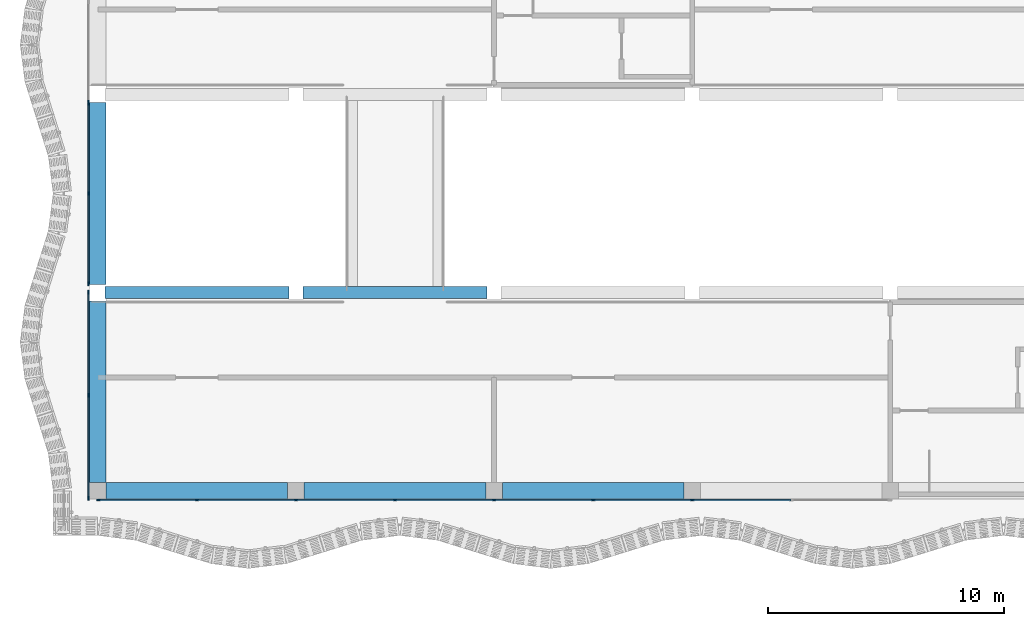
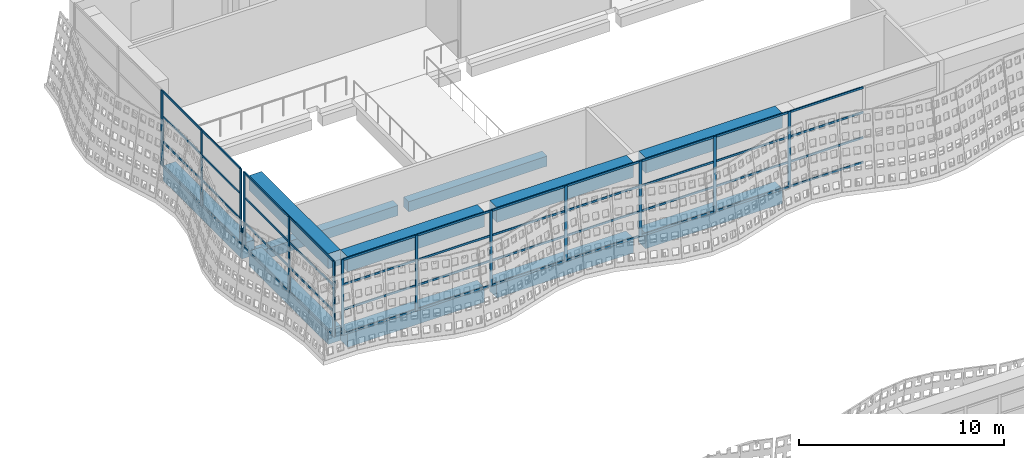
# One storey, part 26 of 162: 58 members, 11 beams, 4 elements without a shape of their own.
"""IFC4 building model written with IfcOpenShell, lengths in metres."""

import ifcopenshell
import ifcopenshell.guid

model = None  # the IFC model being written
_history = None  # IfcOwnerHistory: only IFC2X3 demands one
_inside = {}  # id of a spatial element -> (the spatial element, [elements in it])
_under = {}  # id of a project, library or spatial element -> (it, [spatial elements below it])
_declared = {}  # id of a project -> (the project, [libraries it declares])
_typed = {}  # id of a type object -> (the type object, [elements of that type])
_made_of = {}  # id of a material, layer set ... -> (it, [elements and type objects made of it])


def new_model(schema):
    """Start an empty IFC model of exactly this schema.

    Asked for "IFC4X3", IfcOpenShell would pick the latest addendum, in which some entities
    have other attributes; the version numbers below select the first issue.
    IFC2X3 requires an IfcOwnerHistory on every rooted entity: one is made here for all.
    """
    global model, _history
    if schema == "IFC4X3":
        model = ifcopenshell.file(schema_version=(4, 3, 0, 0))
    else:
        model = ifcopenshell.file(schema=schema)
    _inside.clear()
    _under.clear()
    _declared.clear()
    _typed.clear()
    _made_of.clear()
    _history = None
    if model.schema == "IFC2X3":
        org = make("IfcOrganization", Name="unknown")
        user = make(
            "IfcPersonAndOrganization",
            ThePerson=make("IfcPerson", FamilyName="unknown"),
            TheOrganization=org,
        )
        app = make(
            "IfcApplication",
            ApplicationDeveloper=org,
            Version="unknown",
            ApplicationFullName="unknown",
            ApplicationIdentifier="unknown",
        )
        _history = make(
            "IfcOwnerHistory",
            OwningUser=user,
            OwningApplication=app,
            ChangeAction="ADDED",
            CreationDate=0,
        )
    return model


def make(cls, **values):
    """One entity of the class cls with the attributes given. An attribute that is None is left unset."""
    return model.create_entity(
        cls, **{name: value for name, value in values.items() if value is not None}
    )


def rooted(cls, **values):
    """An entity with a GlobalId (a new one), such as an element, a storey or a relation."""
    return make(cls, GlobalId=ifcopenshell.guid.new(), OwnerHistory=_history, **values)


def si_unit(unit_type, name, prefix=None):
    """IfcSIUnit, for example si_unit("LENGTHUNIT", "METRE", prefix="MILLI")."""
    return make("IfcSIUnit", UnitType=unit_type, Prefix=prefix, Name=name)


def assignment(units):
    """IfcUnitAssignment: the units of a project."""
    return None if units is None else make("IfcUnitAssignment", Units=units)


def point(xyz):
    """IfcCartesianPoint."""
    return None if xyz is None else make("IfcCartesianPoint", Coordinates=xyz)


def direction(xyz):
    """IfcDirection."""
    return None if xyz is None else make("IfcDirection", DirectionRatios=xyz)


def frame(location, z_axis=None, x_axis=None):
    """IfcAxis2Placement3D, a coordinate frame: its origin and axes. An axis left out is left unset."""
    return make(
        "IfcAxis2Placement3D",
        Location=point(location),
        Axis=direction(z_axis),
        RefDirection=direction(x_axis),
    )


def frame_2d(location, x_axis=None):
    """IfcAxis2Placement2D, a coordinate frame in the plane: its origin and x axis."""
    return make(
        "IfcAxis2Placement2D", Location=point(location), RefDirection=direction(x_axis)
    )


def origin():
    """The frame at (0, 0, 0) with its axes left unset."""
    return frame((0.0, 0.0, 0.0))


def origin_2d():
    """The frame at (0, 0) in the plane with its x axis left unset."""
    return frame_2d((0.0, 0.0))


def place(relative_to, where):
    """IfcLocalPlacement: puts the frame where relative to a parent placement (None: the world)."""
    return make(
        "IfcLocalPlacement", PlacementRelTo=relative_to, RelativePlacement=where
    )


def context(
    kind, dimensions, precision=None, world=None, true_north=None, identifier=None
):
    """IfcGeometricRepresentationContext, for example the 3D "Model" context."""
    return make(
        "IfcGeometricRepresentationContext",
        ContextIdentifier=identifier,
        ContextType=kind,
        CoordinateSpaceDimension=dimensions,
        Precision=precision,
        WorldCoordinateSystem=world,
        TrueNorth=true_north,
    )


def subcontext(parent, identifier, kind, view, scale=None):
    """IfcGeometricRepresentationSubContext, for example "Body" below "Model"."""
    return make(
        "IfcGeometricRepresentationSubContext",
        ContextIdentifier=identifier,
        ContextType=kind,
        ParentContext=parent,
        TargetScale=scale,
        TargetView=view,
    )


def project(units=None, contexts=None):
    """IfcProject with its units and contexts."""
    return rooted(
        "IfcProject",
        Name="project",
        RepresentationContexts=contexts,
        UnitsInContext=assignment(units),
    )


def spatial(cls, under=None, at=None, **own):
    """A site, building, storey or space (cls), placed at a placement, below another one or the project."""
    s = rooted(cls, ObjectPlacement=at, **own)
    if under is not None:
        _under.setdefault(under.id(), (under, []))[1].append(s)
    return s


def profile(cls, at=None, kind="AREA", **sizes):
    """A parametric profile (cls). Its sizes go by their IFC names, for example OverallWidth=200.0."""
    return make(cls, ProfileType=kind, Position=at, **sizes)


def rectangle(**sizes):
    """IfcRectangleProfileDef."""
    return profile("IfcRectangleProfileDef", **sizes)


def extrude(swept, where, along, depth):
    """IfcExtrudedAreaSolid: the profile swept, set in the frame where, extruded along a direction by depth."""
    return make(
        "IfcExtrudedAreaSolid",
        SweptArea=swept,
        Position=where,
        ExtrudedDirection=direction(along),
        Depth=depth,
    )


def shape(context_of_items, identifier, shape_type, items):
    """IfcShapeRepresentation: the items that make up one representation, for example the "Body"."""
    return make(
        "IfcShapeRepresentation",
        ContextOfItems=context_of_items,
        RepresentationIdentifier=identifier,
        RepresentationType=shape_type,
        Items=items,
    )


def material(Name=None, Category=None):
    """IfcMaterial."""
    return make("IfcMaterial", Name=Name, Category=Category)


def layer(
    of_material, thickness, ventilated=None, Name=None, Category=None, Priority=None
):
    """IfcMaterialLayer: one layer of a wall or slab, of a material (None: an air gap)."""
    return make(
        "IfcMaterialLayer",
        Material=of_material,
        LayerThickness=thickness,
        IsVentilated=ventilated,
        Name=Name,
        Category=Category,
        Priority=Priority,
    )


def layer_set(layers, Name=None):
    """IfcMaterialLayerSet."""
    return make("IfcMaterialLayerSet", MaterialLayers=layers, LayerSetName=Name)


def material_profile(
    of_material, cross_section, Name=None, Category=None, Priority=None
):
    """IfcMaterialProfile: a cross section and its material."""
    return make(
        "IfcMaterialProfile",
        Name=Name,
        Material=of_material,
        Profile=cross_section,
        Priority=Priority,
        Category=Category,
    )


def profile_set(profiles, Name=None, composite=None):
    """IfcMaterialProfileSet."""
    return make(
        "IfcMaterialProfileSet",
        Name=Name,
        MaterialProfiles=profiles,
        CompositeProfile=composite,
    )


def made_of(thing, what):
    """Note that an element or type object is made of a material, layer set ...; save() writes the relation."""
    if what is not None:
        _made_of.setdefault(what.id(), (what, []))[1].append(thing)
    return thing


def type_object(cls, material=None, **own):
    """A type object (cls), such as IfcWallType, which elements share."""
    return made_of(rooted(cls, **own), material)


def element(
    cls,
    number,
    at=None,
    inside=None,
    cuts=None,
    type_object=None,
    material=None,
    context=None,
    identifier="Body",
    shape_type=None,
    held_by="IfcProductDefinitionShape",
    body=None,
    shapes=None,
    **own,
):
    """One element of the class cls, such as IfcWall. Its Tag is "e" and its number.

    at: its placement. inside: the storey or other place that contains it. cuts: it is an
    opening in that element (IfcRelVoidsElement). A single representation is given by context,
    identifier, shape_type and body (its items); several are given by shapes. held_by: the class
    of the entity that holds the representations. save() writes the other relations.
    """
    e = rooted(cls, Tag="e%d" % number, ObjectPlacement=at, **own)
    if body is not None:
        shapes = [shape(context, identifier, shape_type, body)]
    if shapes is not None:
        e.Representation = make(held_by, Representations=shapes)
    if inside is not None:
        _inside.setdefault(inside.id(), (inside, []))[1].append(e)
    if cuts is not None:
        rooted(
            "IfcRelVoidsElement", RelatingBuildingElement=cuts, RelatedOpeningElement=e
        )
    if type_object is not None:
        _typed.setdefault(type_object.id(), (type_object, []))[1].append(e)
    return made_of(e, material)


def aggregate(whole, parts):
    """IfcRelAggregates: a whole, such as a stair, and the parts it consists of."""
    return rooted("IfcRelAggregates", RelatingObject=whole, RelatedObjects=parts)


def save(model, path):
    """Write the relations noted so far, then the file.

    IfcRelAggregates (storeys below a building ...), IfcRelContainedInSpatialStructure (elements
    in a storey), IfcRelDefinesByType, IfcRelAssociatesMaterial and IfcRelDeclares: one each for
    every whole, place, type object, material and project.
    """
    for whole, parts in _under.values():
        aggregate(whole, parts)
    for where, things in _inside.values():
        rooted(
            "IfcRelContainedInSpatialStructure",
            RelatedElements=things,
            RelatingStructure=where,
        )
    for kind, things in _typed.values():
        rooted("IfcRelDefinesByType", RelatedObjects=things, RelatingType=kind)
    for what, things in _made_of.values():
        rooted("IfcRelAssociatesMaterial", RelatedObjects=things, RelatingMaterial=what)
    for by, libraries in _declared.values():
        rooted("IfcRelDeclares", RelatingContext=by, RelatedDefinitions=libraries)
    model.write(path)


model = new_model("IFC4")

# Units and contexts
model_context = context("Model", 3, precision=1e-05, world=origin(), true_north=direction((0.0, 1.0)))
body_context = subcontext(model_context, "Body", "Model", "MODEL_VIEW")
ifc_project = project(units=[si_unit("LENGTHUNIT", "METRE"), si_unit("AREAUNIT", "SQUARE_METRE"), si_unit("VOLUMEUNIT", "CUBIC_METRE"), si_unit("PLANEANGLEUNIT", "RADIAN"), si_unit("MASSUNIT", "GRAM", prefix="KILO")], contexts=[model_context])

# Site, building, storey
site_placement = place(None, origin())
site = spatial("IfcSite", under=ifc_project, at=site_placement, CompositionType="ELEMENT")
building_placement = place(site_placement, origin())
building = spatial("IfcBuilding", under=site, at=building_placement, Name="Rain Tree Exposition and Congress Centre", CompositionType="ELEMENT")
storey_placement = place(building_placement, frame((0.0, 0.0, 6.0)))
storey = spatial("IfcBuildingStorey", under=building, at=storey_placement, Name="L01", CompositionType="ELEMENT", Elevation=6.0)

# Curtain wall, members
ifc_material_1 = material(Name="Aluminium curtain wall system", Category="aluminium")
ifc_layer = layer(ifc_material_1, 0.10009765625)
ifc_layer_set = layer_set([ifc_layer], Name="Aluminium curtain wall system")
curtain_wall_type = type_object("IfcCurtainWallType", Name="Concourse curtain wall 4200 module", PredefinedType="NOTDEFINED", material=ifc_layer_set)
curtain_wall_1_placement = place(storey_placement, origin())
curtain_wall_1 = element("IfcCurtainWall", 1, at=curtain_wall_1_placement, inside=storey, type_object=curtain_wall_type, Name="Concourse curtain wall CWC22", PredefinedType="NOTDEFINED")
ifc_material_2 = material(Name="Aluminium mullion", Category="aluminium")
ifc_material_profile_1 = material_profile(ifc_material_2, rectangle(XDim=0.06005859375, YDim=0.159912109375, at=origin_2d()), Name="AL 60x160")
ifc_profile_set_1 = profile_set([ifc_material_profile_1], Name="Aluminium mullion")
member_type_1 = type_object("IfcMemberType", Name="Concourse curtain wall mullion 60x160", PredefinedType="MULLION", material=ifc_profile_set_1)
member_1_placement = place(storey_placement, frame((0.030029296875, 75.199951171875, 0.0), z_axis=(0.0, 0.0, 1.0), x_axis=(0.0, 1.0, 0.0)))
member_1 = element("IfcMember", 2, at=member_1_placement, type_object=member_type_1, Name="CWC22 mullion 1", PredefinedType="MULLION", context=body_context, shape_type="SweptSolid", body=[
    extrude(rectangle(XDim=0.06005859375, YDim=0.159912109375, at=origin_2d()), origin(), (0.0, 0.0, 1.0), 4.5),
])
member_2_placement = place(storey_placement, frame((4.199951171875, 75.199951171875, 0.0), z_axis=(0.0, 0.0, 1.0), x_axis=(0.0, 1.0, 0.0)))
member_2 = element("IfcMember", 3, at=member_2_placement, type_object=member_type_1, Name="CWC22 mullion 2", PredefinedType="MULLION", context=body_context, shape_type="SweptSolid", body=[
    extrude(rectangle(XDim=0.06005859375, YDim=0.159912109375, at=origin_2d()), origin(), (0.0, 0.0, 1.0), 4.5),
])
member_3_placement = place(storey_placement, frame((8.39990234375, 75.199951171875, 0.0), z_axis=(0.0, 0.0, 1.0), x_axis=(0.0, 1.0, 0.0)))
member_3 = element("IfcMember", 4, at=member_3_placement, type_object=member_type_1, Name="CWC22 mullion 3", PredefinedType="MULLION", context=body_context, shape_type="SweptSolid", body=[
    extrude(rectangle(XDim=0.06005859375, YDim=0.159912109375, at=origin_2d()), origin(), (0.0, 0.0, 1.0), 4.5),
])
member_4_placement = place(storey_placement, frame((12.60009765625, 75.199951171875, 0.0), z_axis=(0.0, 0.0, 1.0), x_axis=(0.0, 1.0, 0.0)))
member_4 = element("IfcMember", 5, at=member_4_placement, type_object=member_type_1, Name="CWC22 mullion 4", PredefinedType="MULLION", context=body_context, shape_type="SweptSolid", body=[
    extrude(rectangle(XDim=0.06005859375, YDim=0.159912109375, at=origin_2d()), origin(), (0.0, 0.0, 1.0), 4.5),
])
member_5_placement = place(storey_placement, frame((16.800048828125, 75.199951171875, 0.0), z_axis=(0.0, 0.0, 1.0), x_axis=(0.0, 1.0, 0.0)))
member_5 = element("IfcMember", 6, at=member_5_placement, type_object=member_type_1, Name="CWC22 mullion 5", PredefinedType="MULLION", context=body_context, shape_type="SweptSolid", body=[
    extrude(rectangle(XDim=0.06005859375, YDim=0.159912109375, at=origin_2d()), origin(), (0.0, 0.0, 1.0), 4.5),
])
member_6_placement = place(storey_placement, frame((21.0, 75.199951171875, 0.0), z_axis=(0.0, 0.0, 1.0), x_axis=(0.0, 1.0, 0.0)))
member_6 = element("IfcMember", 7, at=member_6_placement, type_object=member_type_1, Name="CWC22 mullion 6", PredefinedType="MULLION", context=body_context, shape_type="SweptSolid", body=[
    extrude(rectangle(XDim=0.06005859375, YDim=0.159912109375, at=origin_2d()), origin(), (0.0, 0.0, 1.0), 4.5),
])
member_7_placement = place(storey_placement, frame((25.199951171875, 75.199951171875, 0.0), z_axis=(0.0, 0.0, 1.0), x_axis=(0.0, 1.0, 0.0)))
member_7 = element("IfcMember", 8, at=member_7_placement, type_object=member_type_1, Name="CWC22 mullion 7", PredefinedType="MULLION", context=body_context, shape_type="SweptSolid", body=[
    extrude(rectangle(XDim=0.06005859375, YDim=0.159912109375, at=origin_2d()), origin(), (0.0, 0.0, 1.0), 4.5),
])

curtain_wall_2_placement = place(storey_placement, origin())
curtain_wall_2 = element("IfcCurtainWall", 9, at=curtain_wall_2_placement, inside=storey, type_object=curtain_wall_type, Name="Concourse curtain wall CWC32", PredefinedType="NOTDEFINED")
member_8_placement = place(storey_placement, frame((-0.39990234375, 75.280029296875, 0.0), z_axis=(0.0, 0.0, 1.0), x_axis=(-1.0, 0.0, 0.0)))
member_8 = element("IfcMember", 10, at=member_8_placement, type_object=member_type_1, Name="CWC32 mullion 1", PredefinedType="MULLION", context=body_context, shape_type="SweptSolid", body=[
    extrude(rectangle(XDim=0.06005859375, YDim=0.159912109375, at=origin_2d()), origin(), (0.0, 0.0, 1.0), 4.5),
])
member_9_placement = place(storey_placement, frame((-0.39990234375, 79.64990234375, 0.0), z_axis=(0.0, 0.0, 1.0), x_axis=(-1.0, 0.0, 0.0)))
member_9 = element("IfcMember", 11, at=member_9_placement, type_object=member_type_1, Name="CWC32 mullion 2", PredefinedType="MULLION", context=body_context, shape_type="SweptSolid", body=[
    extrude(rectangle(XDim=0.06005859375, YDim=0.159912109375, at=origin_2d()), origin(), (0.0, 0.0, 1.0), 4.5),
])
member_10_placement = place(storey_placement, frame((-0.39990234375, 84.02001953125, 0.0), z_axis=(0.0, 0.0, 1.0), x_axis=(-1.0, 0.0, 0.0)))
member_10 = element("IfcMember", 12, at=member_10_placement, type_object=member_type_1, Name="CWC32 mullion 3", PredefinedType="MULLION", context=body_context, shape_type="SweptSolid", body=[
    extrude(rectangle(XDim=0.06005859375, YDim=0.159912109375, at=origin_2d()), origin(), (0.0, 0.0, 1.0), 4.5),
])

curtain_wall_3_placement = place(storey_placement, origin())
curtain_wall_3 = element("IfcCurtainWall", 13, at=curtain_wall_3_placement, inside=storey, type_object=curtain_wall_type, Name="Concourse curtain wall CWC33", PredefinedType="NOTDEFINED")
member_11_placement = place(storey_placement, frame((-0.39990234375, 84.3798828125, 0.0), z_axis=(0.0, 0.0, 1.0), x_axis=(-1.0, 0.0, 0.0)))
member_11 = element("IfcMember", 14, at=member_11_placement, type_object=member_type_1, Name="CWC33 mullion 1", PredefinedType="MULLION", context=body_context, shape_type="SweptSolid", body=[
    extrude(rectangle(XDim=0.06005859375, YDim=0.159912109375, at=origin_2d()), origin(), (0.0, 0.0, 1.0), 4.5),
])
member_12_placement = place(storey_placement, frame((-0.39990234375, 88.199951171875, 0.0), z_axis=(0.0, 0.0, 1.0), x_axis=(-1.0, 0.0, 0.0)))
member_12 = element("IfcMember", 15, at=member_12_placement, type_object=member_type_1, Name="CWC33 mullion 2", PredefinedType="MULLION", context=body_context, shape_type="SweptSolid", body=[
    extrude(rectangle(XDim=0.06005859375, YDim=0.159912109375, at=origin_2d()), origin(), (0.0, 0.0, 1.0), 4.5),
])
member_13_placement = place(storey_placement, frame((-0.39990234375, 92.02001953125, 0.0), z_axis=(0.0, 0.0, 1.0), x_axis=(-1.0, 0.0, 0.0)))
member_13 = element("IfcMember", 16, at=member_13_placement, type_object=member_type_1, Name="CWC33 mullion 3", PredefinedType="MULLION", context=body_context, shape_type="SweptSolid", body=[
    extrude(rectangle(XDim=0.06005859375, YDim=0.159912109375, at=origin_2d()), origin(), (0.0, 0.0, 1.0), 4.5),
])

# Curtain wall, member
curtain_wall_4_placement = place(storey_placement, origin())
curtain_wall_4 = element("IfcCurtainWall", 17, at=curtain_wall_4_placement, inside=storey, type_object=curtain_wall_type, Name="Concourse curtain wall CWC34", PredefinedType="NOTDEFINED")
member_14_placement = place(storey_placement, frame((-0.39990234375, 92.080078125, 0.0), z_axis=(0.0, 0.0, 1.0), x_axis=(-1.0, 0.0, 0.0)))
member_14 = element("IfcMember", 18, at=member_14_placement, type_object=member_type_1, Name="CWC34 mullion 1", PredefinedType="MULLION", context=body_context, shape_type="SweptSolid", body=[
    extrude(rectangle(XDim=0.06005859375, YDim=0.159912109375, at=origin_2d()), origin(), (0.0, 0.0, 1.0), 4.5),
])
aggregate(curtain_wall_4, [member_14])

# Member
ifc_material_3 = material(Name="Aluminium transom", Category="aluminium")
ifc_material_profile_2 = material_profile(ifc_material_3, rectangle(XDim=0.06005859375, YDim=0.1201171875, at=origin_2d()), Name="AL 60x120")
ifc_profile_set_2 = profile_set([ifc_material_profile_2], Name="Aluminium transom")
member_type_2 = type_object("IfcMemberType", Name="Concourse curtain wall transom 60x120", PredefinedType="USERDEFINED", material=ifc_profile_set_2)
member_15_placement = place(storey_placement, frame((0.06005859375, 75.199951171875, 0.030029296875), z_axis=(1.0, 0.0, 0.0), x_axis=(0.0, 1.0, 0.0)))
member_15 = element("IfcMember", 19, at=member_15_placement, type_object=member_type_2, Name="CWC22 transom 1.1", ObjectType="TRANSOM", PredefinedType="USERDEFINED", context=body_context, shape_type="SweptSolid", body=[
    extrude(rectangle(XDim=0.06005859375, YDim=0.1201171875, at=origin_2d()), origin(), (0.0, 0.0, 1.0), 4.10986328125),
])

member_16_placement = place(storey_placement, frame((0.06005859375, 75.199951171875, 1.5), z_axis=(1.0, 0.0, 0.0), x_axis=(0.0, 1.0, 0.0)))
member_16 = element("IfcMember", 20, at=member_16_placement, type_object=member_type_2, Name="CWC22 transom 1.2", ObjectType="TRANSOM", PredefinedType="USERDEFINED", context=body_context, shape_type="SweptSolid", body=[
    extrude(rectangle(XDim=0.06005859375, YDim=0.1201171875, at=origin_2d()), origin(), (0.0, 0.0, 1.0), 4.10986328125),
])

member_17_placement = place(storey_placement, frame((0.06005859375, 75.199951171875, 3.0), z_axis=(1.0, 0.0, 0.0), x_axis=(0.0, 1.0, 0.0)))
member_17 = element("IfcMember", 21, at=member_17_placement, type_object=member_type_2, Name="CWC22 transom 1.3", ObjectType="TRANSOM", PredefinedType="USERDEFINED", context=body_context, shape_type="SweptSolid", body=[
    extrude(rectangle(XDim=0.06005859375, YDim=0.1201171875, at=origin_2d()), origin(), (0.0, 0.0, 1.0), 4.10986328125),
])

member_18_placement = place(storey_placement, frame((0.06005859375, 75.199951171875, 4.469970703125), z_axis=(1.0, 0.0, 0.0), x_axis=(0.0, 1.0, 0.0)))
member_18 = element("IfcMember", 22, at=member_18_placement, type_object=member_type_2, Name="CWC22 transom 1.4", ObjectType="TRANSOM", PredefinedType="USERDEFINED", context=body_context, shape_type="SweptSolid", body=[
    extrude(rectangle(XDim=0.06005859375, YDim=0.1201171875, at=origin_2d()), origin(), (0.0, 0.0, 1.0), 4.10986328125),
])

member_19_placement = place(storey_placement, frame((4.22998046875, 75.199951171875, 0.030029296875), z_axis=(1.0, 0.0, 0.0), x_axis=(0.0, 1.0, 0.0)))
member_19 = element("IfcMember", 23, at=member_19_placement, type_object=member_type_2, Name="CWC22 transom 2.1", ObjectType="TRANSOM", PredefinedType="USERDEFINED", context=body_context, shape_type="SweptSolid", body=[
    extrude(rectangle(XDim=0.06005859375, YDim=0.1201171875, at=origin_2d()), origin(), (0.0, 0.0, 1.0), 4.14013671875),
])

member_20_placement = place(storey_placement, frame((4.22998046875, 75.199951171875, 1.5), z_axis=(1.0, 0.0, 0.0), x_axis=(0.0, 1.0, 0.0)))
member_20 = element("IfcMember", 24, at=member_20_placement, type_object=member_type_2, Name="CWC22 transom 2.2", ObjectType="TRANSOM", PredefinedType="USERDEFINED", context=body_context, shape_type="SweptSolid", body=[
    extrude(rectangle(XDim=0.06005859375, YDim=0.1201171875, at=origin_2d()), origin(), (0.0, 0.0, 1.0), 4.14013671875),
])

member_21_placement = place(storey_placement, frame((4.22998046875, 75.199951171875, 3.0), z_axis=(1.0, 0.0, 0.0), x_axis=(0.0, 1.0, 0.0)))
member_21 = element("IfcMember", 25, at=member_21_placement, type_object=member_type_2, Name="CWC22 transom 2.3", ObjectType="TRANSOM", PredefinedType="USERDEFINED", context=body_context, shape_type="SweptSolid", body=[
    extrude(rectangle(XDim=0.06005859375, YDim=0.1201171875, at=origin_2d()), origin(), (0.0, 0.0, 1.0), 4.14013671875),
])

member_22_placement = place(storey_placement, frame((4.22998046875, 75.199951171875, 4.469970703125), z_axis=(1.0, 0.0, 0.0), x_axis=(0.0, 1.0, 0.0)))
member_22 = element("IfcMember", 26, at=member_22_placement, type_object=member_type_2, Name="CWC22 transom 2.4", ObjectType="TRANSOM", PredefinedType="USERDEFINED", context=body_context, shape_type="SweptSolid", body=[
    extrude(rectangle(XDim=0.06005859375, YDim=0.1201171875, at=origin_2d()), origin(), (0.0, 0.0, 1.0), 4.14013671875),
])

member_23_placement = place(storey_placement, frame((8.429931640625, 75.199951171875, 0.030029296875), z_axis=(1.0, 0.0, 0.0), x_axis=(0.0, 1.0, 0.0)))
member_23 = element("IfcMember", 27, at=member_23_placement, type_object=member_type_2, Name="CWC22 transom 3.1", ObjectType="TRANSOM", PredefinedType="USERDEFINED", context=body_context, shape_type="SweptSolid", body=[
    extrude(rectangle(XDim=0.06005859375, YDim=0.1201171875, at=origin_2d()), origin(), (0.0, 0.0, 1.0), 4.14013671875),
])

member_24_placement = place(storey_placement, frame((8.429931640625, 75.199951171875, 1.5), z_axis=(1.0, 0.0, 0.0), x_axis=(0.0, 1.0, 0.0)))
member_24 = element("IfcMember", 28, at=member_24_placement, type_object=member_type_2, Name="CWC22 transom 3.2", ObjectType="TRANSOM", PredefinedType="USERDEFINED", context=body_context, shape_type="SweptSolid", body=[
    extrude(rectangle(XDim=0.06005859375, YDim=0.1201171875, at=origin_2d()), origin(), (0.0, 0.0, 1.0), 4.14013671875),
])

member_25_placement = place(storey_placement, frame((8.429931640625, 75.199951171875, 3.0), z_axis=(1.0, 0.0, 0.0), x_axis=(0.0, 1.0, 0.0)))
member_25 = element("IfcMember", 29, at=member_25_placement, type_object=member_type_2, Name="CWC22 transom 3.3", ObjectType="TRANSOM", PredefinedType="USERDEFINED", context=body_context, shape_type="SweptSolid", body=[
    extrude(rectangle(XDim=0.06005859375, YDim=0.1201171875, at=origin_2d()), origin(), (0.0, 0.0, 1.0), 4.14013671875),
])

member_26_placement = place(storey_placement, frame((8.429931640625, 75.199951171875, 4.469970703125), z_axis=(1.0, 0.0, 0.0), x_axis=(0.0, 1.0, 0.0)))
member_26 = element("IfcMember", 30, at=member_26_placement, type_object=member_type_2, Name="CWC22 transom 3.4", ObjectType="TRANSOM", PredefinedType="USERDEFINED", context=body_context, shape_type="SweptSolid", body=[
    extrude(rectangle(XDim=0.06005859375, YDim=0.1201171875, at=origin_2d()), origin(), (0.0, 0.0, 1.0), 4.14013671875),
])

member_27_placement = place(storey_placement, frame((12.6298828125, 75.199951171875, 0.030029296875), z_axis=(1.0, 0.0, 0.0), x_axis=(0.0, 1.0, 0.0)))
member_27 = element("IfcMember", 31, at=member_27_placement, type_object=member_type_2, Name="CWC22 transom 4.1", ObjectType="TRANSOM", PredefinedType="USERDEFINED", context=body_context, shape_type="SweptSolid", body=[
    extrude(rectangle(XDim=0.06005859375, YDim=0.1201171875, at=origin_2d()), origin(), (0.0, 0.0, 1.0), 4.14013671875),
])

member_28_placement = place(storey_placement, frame((12.6298828125, 75.199951171875, 1.5), z_axis=(1.0, 0.0, 0.0), x_axis=(0.0, 1.0, 0.0)))
member_28 = element("IfcMember", 32, at=member_28_placement, type_object=member_type_2, Name="CWC22 transom 4.2", ObjectType="TRANSOM", PredefinedType="USERDEFINED", context=body_context, shape_type="SweptSolid", body=[
    extrude(rectangle(XDim=0.06005859375, YDim=0.1201171875, at=origin_2d()), origin(), (0.0, 0.0, 1.0), 4.14013671875),
])

member_29_placement = place(storey_placement, frame((12.6298828125, 75.199951171875, 3.0), z_axis=(1.0, 0.0, 0.0), x_axis=(0.0, 1.0, 0.0)))
member_29 = element("IfcMember", 33, at=member_29_placement, type_object=member_type_2, Name="CWC22 transom 4.3", ObjectType="TRANSOM", PredefinedType="USERDEFINED", context=body_context, shape_type="SweptSolid", body=[
    extrude(rectangle(XDim=0.06005859375, YDim=0.1201171875, at=origin_2d()), origin(), (0.0, 0.0, 1.0), 4.14013671875),
])

member_30_placement = place(storey_placement, frame((12.6298828125, 75.199951171875, 4.469970703125), z_axis=(1.0, 0.0, 0.0), x_axis=(0.0, 1.0, 0.0)))
member_30 = element("IfcMember", 34, at=member_30_placement, type_object=member_type_2, Name="CWC22 transom 4.4", ObjectType="TRANSOM", PredefinedType="USERDEFINED", context=body_context, shape_type="SweptSolid", body=[
    extrude(rectangle(XDim=0.06005859375, YDim=0.1201171875, at=origin_2d()), origin(), (0.0, 0.0, 1.0), 4.14013671875),
])

member_31_placement = place(storey_placement, frame((16.830078125, 75.199951171875, 0.030029296875), z_axis=(1.0, 0.0, 0.0), x_axis=(0.0, 1.0, 0.0)))
member_31 = element("IfcMember", 35, at=member_31_placement, type_object=member_type_2, Name="CWC22 transom 5.1", ObjectType="TRANSOM", PredefinedType="USERDEFINED", context=body_context, shape_type="SweptSolid", body=[
    extrude(rectangle(XDim=0.06005859375, YDim=0.1201171875, at=origin_2d()), origin(), (0.0, 0.0, 1.0), 4.139892578125),
])

member_32_placement = place(storey_placement, frame((16.830078125, 75.199951171875, 1.5), z_axis=(1.0, 0.0, 0.0), x_axis=(0.0, 1.0, 0.0)))
member_32 = element("IfcMember", 36, at=member_32_placement, type_object=member_type_2, Name="CWC22 transom 5.2", ObjectType="TRANSOM", PredefinedType="USERDEFINED", context=body_context, shape_type="SweptSolid", body=[
    extrude(rectangle(XDim=0.06005859375, YDim=0.1201171875, at=origin_2d()), origin(), (0.0, 0.0, 1.0), 4.139892578125),
])

member_33_placement = place(storey_placement, frame((16.830078125, 75.199951171875, 3.0), z_axis=(1.0, 0.0, 0.0), x_axis=(0.0, 1.0, 0.0)))
member_33 = element("IfcMember", 37, at=member_33_placement, type_object=member_type_2, Name="CWC22 transom 5.3", ObjectType="TRANSOM", PredefinedType="USERDEFINED", context=body_context, shape_type="SweptSolid", body=[
    extrude(rectangle(XDim=0.06005859375, YDim=0.1201171875, at=origin_2d()), origin(), (0.0, 0.0, 1.0), 4.139892578125),
])

member_34_placement = place(storey_placement, frame((16.830078125, 75.199951171875, 4.469970703125), z_axis=(1.0, 0.0, 0.0), x_axis=(0.0, 1.0, 0.0)))
member_34 = element("IfcMember", 38, at=member_34_placement, type_object=member_type_2, Name="CWC22 transom 5.4", ObjectType="TRANSOM", PredefinedType="USERDEFINED", context=body_context, shape_type="SweptSolid", body=[
    extrude(rectangle(XDim=0.06005859375, YDim=0.1201171875, at=origin_2d()), origin(), (0.0, 0.0, 1.0), 4.139892578125),
])

member_35_placement = place(storey_placement, frame((21.030029296875, 75.199951171875, 0.030029296875), z_axis=(1.0, 0.0, 0.0), x_axis=(0.0, 1.0, 0.0)))
member_35 = element("IfcMember", 39, at=member_35_placement, type_object=member_type_2, Name="CWC22 transom 6.1", ObjectType="TRANSOM", PredefinedType="USERDEFINED", context=body_context, shape_type="SweptSolid", body=[
    extrude(rectangle(XDim=0.06005859375, YDim=0.1201171875, at=origin_2d()), origin(), (0.0, 0.0, 1.0), 4.139892578125),
])

member_36_placement = place(storey_placement, frame((21.030029296875, 75.199951171875, 1.5), z_axis=(1.0, 0.0, 0.0), x_axis=(0.0, 1.0, 0.0)))
member_36 = element("IfcMember", 40, at=member_36_placement, type_object=member_type_2, Name="CWC22 transom 6.2", ObjectType="TRANSOM", PredefinedType="USERDEFINED", context=body_context, shape_type="SweptSolid", body=[
    extrude(rectangle(XDim=0.06005859375, YDim=0.1201171875, at=origin_2d()), origin(), (0.0, 0.0, 1.0), 4.139892578125),
])

member_37_placement = place(storey_placement, frame((21.030029296875, 75.199951171875, 3.0), z_axis=(1.0, 0.0, 0.0), x_axis=(0.0, 1.0, 0.0)))
member_37 = element("IfcMember", 41, at=member_37_placement, type_object=member_type_2, Name="CWC22 transom 6.3", ObjectType="TRANSOM", PredefinedType="USERDEFINED", context=body_context, shape_type="SweptSolid", body=[
    extrude(rectangle(XDim=0.06005859375, YDim=0.1201171875, at=origin_2d()), origin(), (0.0, 0.0, 1.0), 4.139892578125),
])

member_38_placement = place(storey_placement, frame((21.030029296875, 75.199951171875, 4.469970703125), z_axis=(1.0, 0.0, 0.0), x_axis=(0.0, 1.0, 0.0)))
member_38 = element("IfcMember", 42, at=member_38_placement, type_object=member_type_2, Name="CWC22 transom 6.4", ObjectType="TRANSOM", PredefinedType="USERDEFINED", context=body_context, shape_type="SweptSolid", body=[
    extrude(rectangle(XDim=0.06005859375, YDim=0.1201171875, at=origin_2d()), origin(), (0.0, 0.0, 1.0), 4.139892578125),
])

member_39_placement = place(storey_placement, frame((25.22998046875, 75.199951171875, 0.030029296875), z_axis=(1.0, 0.0, 0.0), x_axis=(0.0, 1.0, 0.0)))
member_39 = element("IfcMember", 43, at=member_39_placement, type_object=member_type_2, Name="CWC22 transom 7.1", ObjectType="TRANSOM", PredefinedType="USERDEFINED", context=body_context, shape_type="SweptSolid", body=[
    extrude(rectangle(XDim=0.06005859375, YDim=0.1201171875, at=origin_2d()), origin(), (0.0, 0.0, 1.0), 4.14013671875),
])

member_40_placement = place(storey_placement, frame((25.22998046875, 75.199951171875, 1.5), z_axis=(1.0, 0.0, 0.0), x_axis=(0.0, 1.0, 0.0)))
member_40 = element("IfcMember", 44, at=member_40_placement, type_object=member_type_2, Name="CWC22 transom 7.2", ObjectType="TRANSOM", PredefinedType="USERDEFINED", context=body_context, shape_type="SweptSolid", body=[
    extrude(rectangle(XDim=0.06005859375, YDim=0.1201171875, at=origin_2d()), origin(), (0.0, 0.0, 1.0), 4.14013671875),
])

member_41_placement = place(storey_placement, frame((25.22998046875, 75.199951171875, 3.0), z_axis=(1.0, 0.0, 0.0), x_axis=(0.0, 1.0, 0.0)))
member_41 = element("IfcMember", 45, at=member_41_placement, type_object=member_type_2, Name="CWC22 transom 7.3", ObjectType="TRANSOM", PredefinedType="USERDEFINED", context=body_context, shape_type="SweptSolid", body=[
    extrude(rectangle(XDim=0.06005859375, YDim=0.1201171875, at=origin_2d()), origin(), (0.0, 0.0, 1.0), 4.14013671875),
])

member_42_placement = place(storey_placement, frame((25.22998046875, 75.199951171875, 4.469970703125), z_axis=(1.0, 0.0, 0.0), x_axis=(0.0, 1.0, 0.0)))
member_42 = element("IfcMember", 46, at=member_42_placement, type_object=member_type_2, Name="CWC22 transom 7.4", ObjectType="TRANSOM", PredefinedType="USERDEFINED", context=body_context, shape_type="SweptSolid", body=[
    extrude(rectangle(XDim=0.06005859375, YDim=0.1201171875, at=origin_2d()), origin(), (0.0, 0.0, 1.0), 4.14013671875),
])

aggregate(curtain_wall_1, [member_1, member_2, member_3, member_4, member_5, member_6, member_7, member_15, member_16, member_17, member_18, member_19, member_20, member_21, member_22, member_23, member_24, member_25, member_26, member_27, member_28, member_29, member_30, member_31, member_32, member_33, member_34, member_35, member_36, member_37, member_38, member_39, member_40, member_41, member_42])

member_43_placement = place(storey_placement, frame((-0.39990234375, 75.31005859375, 0.030029296875), z_axis=(0.0, 1.0, 0.0), x_axis=(-1.0, 0.0, 0.0)))
member_43 = element("IfcMember", 47, at=member_43_placement, type_object=member_type_2, Name="CWC32 transom 1.1", ObjectType="TRANSOM", PredefinedType="USERDEFINED", context=body_context, shape_type="SweptSolid", body=[
    extrude(rectangle(XDim=0.06005859375, YDim=0.1201171875, at=origin_2d()), origin(), (0.0, 0.0, 1.0), 4.31005859375),
])

member_44_placement = place(storey_placement, frame((-0.39990234375, 75.31005859375, 1.5), z_axis=(0.0, 1.0, 0.0), x_axis=(-1.0, 0.0, 0.0)))
member_44 = element("IfcMember", 48, at=member_44_placement, type_object=member_type_2, Name="CWC32 transom 1.2", ObjectType="TRANSOM", PredefinedType="USERDEFINED", context=body_context, shape_type="SweptSolid", body=[
    extrude(rectangle(XDim=0.06005859375, YDim=0.1201171875, at=origin_2d()), origin(), (0.0, 0.0, 1.0), 4.31005859375),
])

member_45_placement = place(storey_placement, frame((-0.39990234375, 75.31005859375, 3.0), z_axis=(0.0, 1.0, 0.0), x_axis=(-1.0, 0.0, 0.0)))
member_45 = element("IfcMember", 49, at=member_45_placement, type_object=member_type_2, Name="CWC32 transom 1.3", ObjectType="TRANSOM", PredefinedType="USERDEFINED", context=body_context, shape_type="SweptSolid", body=[
    extrude(rectangle(XDim=0.06005859375, YDim=0.1201171875, at=origin_2d()), origin(), (0.0, 0.0, 1.0), 4.31005859375),
])

member_46_placement = place(storey_placement, frame((-0.39990234375, 75.31005859375, 4.469970703125), z_axis=(0.0, 1.0, 0.0), x_axis=(-1.0, 0.0, 0.0)))
member_46 = element("IfcMember", 50, at=member_46_placement, type_object=member_type_2, Name="CWC32 transom 1.4", ObjectType="TRANSOM", PredefinedType="USERDEFINED", context=body_context, shape_type="SweptSolid", body=[
    extrude(rectangle(XDim=0.06005859375, YDim=0.1201171875, at=origin_2d()), origin(), (0.0, 0.0, 1.0), 4.31005859375),
])

member_47_placement = place(storey_placement, frame((-0.39990234375, 79.679931640625, 0.030029296875), z_axis=(0.0, 1.0, 0.0), x_axis=(-1.0, 0.0, 0.0)))
member_47 = element("IfcMember", 51, at=member_47_placement, type_object=member_type_2, Name="CWC32 transom 2.1", ObjectType="TRANSOM", PredefinedType="USERDEFINED", context=body_context, shape_type="SweptSolid", body=[
    extrude(rectangle(XDim=0.06005859375, YDim=0.1201171875, at=origin_2d()), origin(), (0.0, 0.0, 1.0), 4.31005859375),
])

member_48_placement = place(storey_placement, frame((-0.39990234375, 79.679931640625, 1.5), z_axis=(0.0, 1.0, 0.0), x_axis=(-1.0, 0.0, 0.0)))
member_48 = element("IfcMember", 52, at=member_48_placement, type_object=member_type_2, Name="CWC32 transom 2.2", ObjectType="TRANSOM", PredefinedType="USERDEFINED", context=body_context, shape_type="SweptSolid", body=[
    extrude(rectangle(XDim=0.06005859375, YDim=0.1201171875, at=origin_2d()), origin(), (0.0, 0.0, 1.0), 4.31005859375),
])

member_49_placement = place(storey_placement, frame((-0.39990234375, 79.679931640625, 3.0), z_axis=(0.0, 1.0, 0.0), x_axis=(-1.0, 0.0, 0.0)))
member_49 = element("IfcMember", 53, at=member_49_placement, type_object=member_type_2, Name="CWC32 transom 2.3", ObjectType="TRANSOM", PredefinedType="USERDEFINED", context=body_context, shape_type="SweptSolid", body=[
    extrude(rectangle(XDim=0.06005859375, YDim=0.1201171875, at=origin_2d()), origin(), (0.0, 0.0, 1.0), 4.31005859375),
])

member_50_placement = place(storey_placement, frame((-0.39990234375, 79.679931640625, 4.469970703125), z_axis=(0.0, 1.0, 0.0), x_axis=(-1.0, 0.0, 0.0)))
member_50 = element("IfcMember", 54, at=member_50_placement, type_object=member_type_2, Name="CWC32 transom 2.4", ObjectType="TRANSOM", PredefinedType="USERDEFINED", context=body_context, shape_type="SweptSolid", body=[
    extrude(rectangle(XDim=0.06005859375, YDim=0.1201171875, at=origin_2d()), origin(), (0.0, 0.0, 1.0), 4.31005859375),
])

aggregate(curtain_wall_2, [member_8, member_9, member_10, member_43, member_44, member_45, member_46, member_47, member_48, member_49, member_50])

member_51_placement = place(storey_placement, frame((-0.39990234375, 84.409912109375, 0.030029296875), z_axis=(0.0, 1.0, 0.0), x_axis=(-1.0, 0.0, 0.0)))
member_51 = element("IfcMember", 55, at=member_51_placement, type_object=member_type_2, Name="CWC33 transom 1.1", ObjectType="TRANSOM", PredefinedType="USERDEFINED", context=body_context, shape_type="SweptSolid", body=[
    extrude(rectangle(XDim=0.06005859375, YDim=0.1201171875, at=origin_2d()), origin(), (0.0, 0.0, 1.0), 3.760009765625),
])

member_52_placement = place(storey_placement, frame((-0.39990234375, 84.409912109375, 1.5), z_axis=(0.0, 1.0, 0.0), x_axis=(-1.0, 0.0, 0.0)))
member_52 = element("IfcMember", 56, at=member_52_placement, type_object=member_type_2, Name="CWC33 transom 1.2", ObjectType="TRANSOM", PredefinedType="USERDEFINED", context=body_context, shape_type="SweptSolid", body=[
    extrude(rectangle(XDim=0.06005859375, YDim=0.1201171875, at=origin_2d()), origin(), (0.0, 0.0, 1.0), 3.760009765625),
])

member_53_placement = place(storey_placement, frame((-0.39990234375, 84.409912109375, 3.0), z_axis=(0.0, 1.0, 0.0), x_axis=(-1.0, 0.0, 0.0)))
member_53 = element("IfcMember", 57, at=member_53_placement, type_object=member_type_2, Name="CWC33 transom 1.3", ObjectType="TRANSOM", PredefinedType="USERDEFINED", context=body_context, shape_type="SweptSolid", body=[
    extrude(rectangle(XDim=0.06005859375, YDim=0.1201171875, at=origin_2d()), origin(), (0.0, 0.0, 1.0), 3.760009765625),
])

member_54_placement = place(storey_placement, frame((-0.39990234375, 84.409912109375, 4.469970703125), z_axis=(0.0, 1.0, 0.0), x_axis=(-1.0, 0.0, 0.0)))
member_54 = element("IfcMember", 58, at=member_54_placement, type_object=member_type_2, Name="CWC33 transom 1.4", ObjectType="TRANSOM", PredefinedType="USERDEFINED", context=body_context, shape_type="SweptSolid", body=[
    extrude(rectangle(XDim=0.06005859375, YDim=0.1201171875, at=origin_2d()), origin(), (0.0, 0.0, 1.0), 3.760009765625),
])

member_55_placement = place(storey_placement, frame((-0.39990234375, 88.22998046875, 0.030029296875), z_axis=(0.0, 1.0, 0.0), x_axis=(-1.0, 0.0, 0.0)))
member_55 = element("IfcMember", 59, at=member_55_placement, type_object=member_type_2, Name="CWC33 transom 2.1", ObjectType="TRANSOM", PredefinedType="USERDEFINED", context=body_context, shape_type="SweptSolid", body=[
    extrude(rectangle(XDim=0.06005859375, YDim=0.1201171875, at=origin_2d()), origin(), (0.0, 0.0, 1.0), 3.760009765625),
])

member_56_placement = place(storey_placement, frame((-0.39990234375, 88.22998046875, 1.5), z_axis=(0.0, 1.0, 0.0), x_axis=(-1.0, 0.0, 0.0)))
member_56 = element("IfcMember", 60, at=member_56_placement, type_object=member_type_2, Name="CWC33 transom 2.2", ObjectType="TRANSOM", PredefinedType="USERDEFINED", context=body_context, shape_type="SweptSolid", body=[
    extrude(rectangle(XDim=0.06005859375, YDim=0.1201171875, at=origin_2d()), origin(), (0.0, 0.0, 1.0), 3.760009765625),
])

member_57_placement = place(storey_placement, frame((-0.39990234375, 88.22998046875, 3.0), z_axis=(0.0, 1.0, 0.0), x_axis=(-1.0, 0.0, 0.0)))
member_57 = element("IfcMember", 61, at=member_57_placement, type_object=member_type_2, Name="CWC33 transom 2.3", ObjectType="TRANSOM", PredefinedType="USERDEFINED", context=body_context, shape_type="SweptSolid", body=[
    extrude(rectangle(XDim=0.06005859375, YDim=0.1201171875, at=origin_2d()), origin(), (0.0, 0.0, 1.0), 3.760009765625),
])

member_58_placement = place(storey_placement, frame((-0.39990234375, 88.22998046875, 4.469970703125), z_axis=(0.0, 1.0, 0.0), x_axis=(-1.0, 0.0, 0.0)))
member_58 = element("IfcMember", 62, at=member_58_placement, type_object=member_type_2, Name="CWC33 transom 2.4", ObjectType="TRANSOM", PredefinedType="USERDEFINED", context=body_context, shape_type="SweptSolid", body=[
    extrude(rectangle(XDim=0.06005859375, YDim=0.1201171875, at=origin_2d()), origin(), (0.0, 0.0, 1.0), 3.760009765625),
])

aggregate(curtain_wall_3, [member_11, member_12, member_13, member_51, member_52, member_53, member_54, member_55, member_56, member_57, member_58])

# Beams
ifc_material_4 = material(Name="Precast concrete C50/60", Category="concrete")
ifc_material_profile_3 = material_profile(ifc_material_4, rectangle(XDim=0.5, YDim=0.60009765625, at=origin_2d()), Name="RC 500x600")
ifc_profile_set_3 = profile_set([ifc_material_profile_3], Name="Precast concrete C50/60")
beam_type_1 = type_object("IfcBeamType", Name="Precast beam 500x600", PredefinedType="BEAM", material=ifc_profile_set_3)
for number, where, z_axis, x_axis, name in (
    (63, (0.300048828125, 84.0, -0.60009765625), (1.0, 0.0, 0.0), (0.0, 1.0, 0.0), "Concourse floor beam 33"),
    (64, (8.699951171875, 84.0, -0.60009765625), (1.0, 0.0, 0.0), (0.0, 1.0, 0.0), "Concourse floor beam 34"),
):
    element("IfcBeam", number, at=place(storey_placement, frame(where, z_axis=z_axis, x_axis=x_axis)), inside=storey, type_object=beam_type_1, Name=name, PredefinedType="BEAM", context=body_context, shape_type="SweptSolid", body=[
        extrude(rectangle(XDim=0.5, YDim=0.60009765625, at=origin_2d()), origin(), (0.0, 0.0, 1.0), 7.800048828125),
    ])
ifc_material_5 = material(Name="Precast concrete C50/60", Category="concrete")
ifc_material_profile_4 = material_profile(ifc_material_5, rectangle(XDim=0.699951171875, YDim=0.89990234375, at=origin_2d()), Name="RC 700x900")
ifc_profile_set_4 = profile_set([ifc_material_profile_4], Name="Precast concrete C50/60")
beam_type_2 = type_object("IfcBeamType", Name="Precast beam 700x900", PredefinedType="BEAM", material=ifc_profile_set_4)
for number, where, z_axis, x_axis, name in (
    (65, (0.35009765625, 75.60009765625, -0.449951171875), (1.0, 0.0, 0.0), (0.0, 1.0, 0.0), "Concourse edge beam 1"),
    (66, (8.75, 75.60009765625, -0.449951171875), (1.0, 0.0, 0.0), (0.0, 1.0, 0.0), "Concourse edge beam 2"),
):
    element("IfcBeam", number, at=place(storey_placement, frame(where, z_axis=z_axis, x_axis=x_axis)), inside=storey, type_object=beam_type_2, Name=name, PredefinedType="BEAM", context=body_context, shape_type="SweptSolid", body=[
        extrude(rectangle(XDim=0.699951171875, YDim=0.89990234375, at=origin_2d()), origin(), (0.0, 0.0, 1.0), 7.699951171875),
    ])
beam_1_placement = place(storey_placement, frame((17.14990234375, 75.60009765625, -0.449951171875), z_axis=(1.0, 0.0, 0.0), x_axis=(0.0, 1.0, 0.0)))
element("IfcBeam", 67, at=beam_1_placement, inside=storey, type_object=beam_type_2, Name="Concourse edge beam 3", PredefinedType="BEAM", context=body_context, shape_type="SweptSolid", body=[
    extrude(rectangle(XDim=0.699951171875, YDim=0.89990234375, at=origin_2d()), origin(), (0.0, 0.0, 1.0), 7.7001953125),
])
for number, where, z_axis, x_axis, name in (
    (68, (0.0, 75.949951171875, -0.449951171875), (0.0, 1.0, 0.0), (-1.0, 0.0, 0.0), "Concourse edge beam 129"),
    (69, (0.0, 84.35009765625, -0.449951171875), (0.0, 1.0, 0.0), (-1.0, 0.0, 0.0), "Concourse edge beam 130"),
    (70, (0.35009765625, 75.60009765625, 4.050048828125), (1.0, 0.0, 0.0), (0.0, 1.0, 0.0), "Concourse roof edge beam 1"),
    (71, (8.75, 75.60009765625, 4.050048828125), (1.0, 0.0, 0.0), (0.0, 1.0, 0.0), "Concourse roof edge beam 2"),
):
    element("IfcBeam", number, at=place(storey_placement, frame(where, z_axis=z_axis, x_axis=x_axis)), inside=storey, type_object=beam_type_2, Name=name, PredefinedType="BEAM", context=body_context, shape_type="SweptSolid", body=[
        extrude(rectangle(XDim=0.699951171875, YDim=0.89990234375, at=origin_2d()), origin(), (0.0, 0.0, 1.0), 7.699951171875),
    ])
beam_2_placement = place(storey_placement, frame((17.14990234375, 75.60009765625, 4.050048828125), z_axis=(1.0, 0.0, 0.0), x_axis=(0.0, 1.0, 0.0)))
element("IfcBeam", 72, at=beam_2_placement, inside=storey, type_object=beam_type_2, Name="Concourse roof edge beam 3", PredefinedType="BEAM", context=body_context, shape_type="SweptSolid", body=[
    extrude(rectangle(XDim=0.699951171875, YDim=0.89990234375, at=origin_2d()), origin(), (0.0, 0.0, 1.0), 7.7001953125),
])
beam_3_placement = place(storey_placement, frame((0.0, 75.949951171875, 4.050048828125), z_axis=(0.0, 1.0, 0.0), x_axis=(-1.0, 0.0, 0.0)))
element("IfcBeam", 73, at=beam_3_placement, inside=storey, type_object=beam_type_2, Name="Concourse roof edge beam 33", PredefinedType="BEAM", context=body_context, shape_type="SweptSolid", body=[
    extrude(rectangle(XDim=0.699951171875, YDim=0.89990234375, at=origin_2d()), origin(), (0.0, 0.0, 1.0), 7.699951171875),
])

save(model, "model.ifc")
